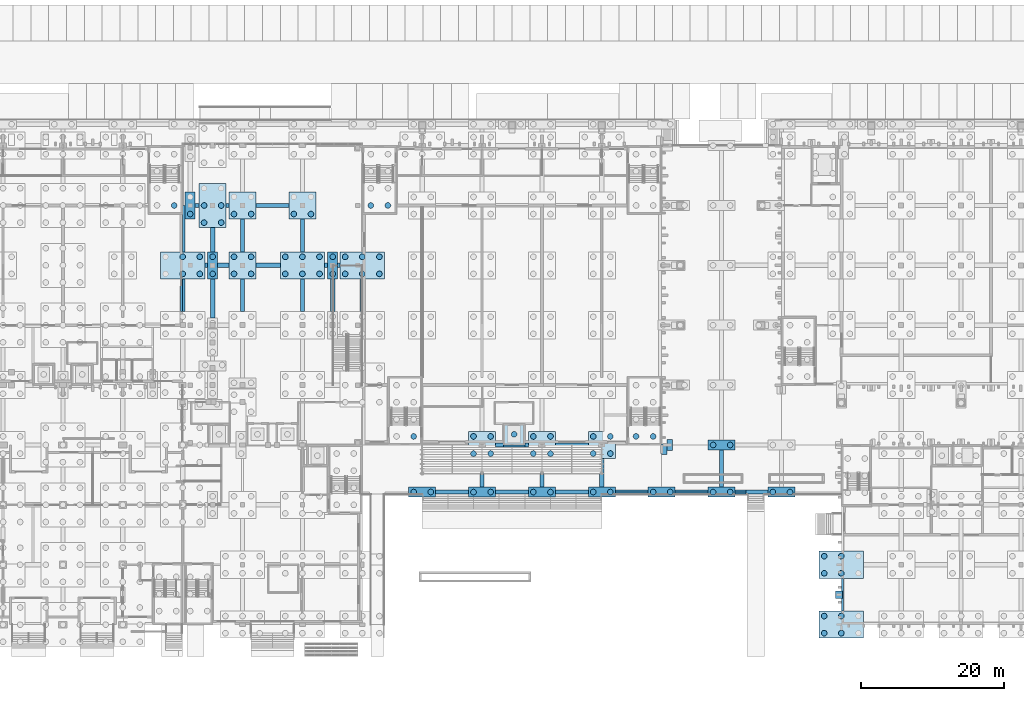
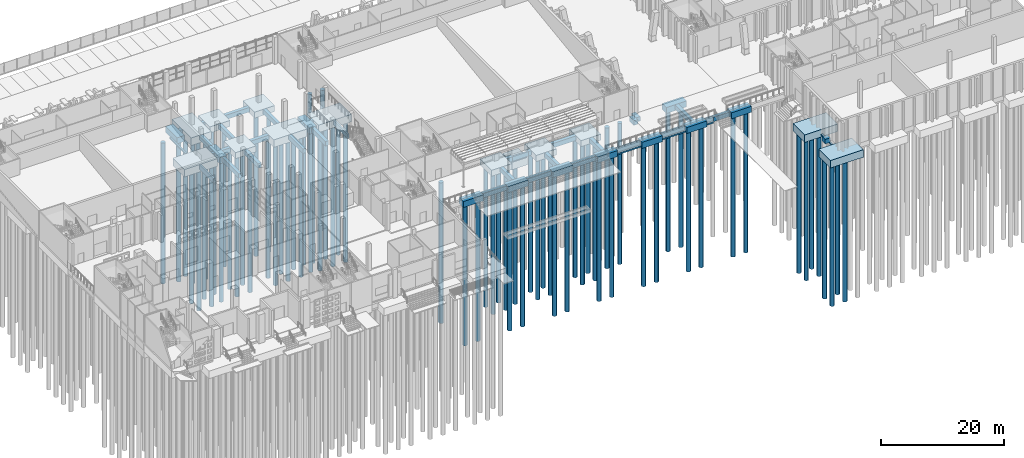
# One storey, part 4 of 129: 76 piles, 65 footings.
"""IFC4 building model written with IfcOpenShell, lengths in metres."""

from ifc_helpers import new_model, si_unit, direction, frame, origin, origin_2d, place, context, subcontext, project, spatial, rectangle, circle, extrude, material, material_profile, profile_set, type_object, element, save


model = new_model("IFC4")

# Units and contexts
model_context = context("Model", 3, precision=1e-05, world=origin(), true_north=direction((0.0, 1.0)))
body_context = subcontext(model_context, "Body", "Model", "MODEL_VIEW")
ifc_project = project(units=[si_unit("LENGTHUNIT", "METRE"), si_unit("AREAUNIT", "SQUARE_METRE"), si_unit("VOLUMEUNIT", "CUBIC_METRE"), si_unit("PLANEANGLEUNIT", "RADIAN"), si_unit("MASSUNIT", "GRAM", prefix="KILO")], contexts=[model_context])

# Site, building, storey
site_placement = place(None, origin())
site = spatial("IfcSite", under=ifc_project, at=site_placement, CompositionType="ELEMENT")
building_placement = place(site_placement, origin())
building = spatial("IfcBuilding", under=site, at=building_placement, Name="Kiln Court Media Centre", CompositionType="ELEMENT")
storey_placement = place(building_placement, origin())
storey = spatial("IfcBuildingStorey", under=building, at=storey_placement, Name="L00", CompositionType="ELEMENT", Elevation=0.0)

# Piles
ifc_material_1 = material(Name="Concrete C30/37", Category="concrete")
ifc_material_profile_1 = material_profile(ifc_material_1, circle(Radius=0.39990234375, at=origin_2d()), Name="PILE D800")
ifc_profile_set_1 = profile_set([ifc_material_profile_1], Name="Concrete C30/37")
pile_type_1 = type_object("IfcPileType", Name="Concrete C30/37 bored pile D800 cut-off -1.400 toe -29.400", PredefinedType="BORED", material=ifc_profile_set_1)
for number, where, z_axis, x_axis, name in (
    (1, (66.0, 18.60009765625, -1.39990234375), (0.0, 0.0, -1.0), (1.0, 0.0, 0.0), "L00-PI-1251"),
    (2, (68.39990234375, 18.60009765625, -1.39990234375), (0.0, 0.0, -1.0), (1.0, 0.0, 0.0), "L00-PI-1252"),
    (3, (74.39990234375, 18.60009765625, -1.39990234375), (0.0, 0.0, -1.0), (1.0, 0.0, 0.0), "L00-PI-1253"),
    (4, (76.800048828125, 18.60009765625, -1.39990234375), (0.0, 0.0, -1.0), (1.0, 0.0, 0.0), "L00-PI-1254"),
    (5, (82.800048828125, 18.60009765625, -1.39990234375), (0.0, 0.0, -1.0), (1.0, 0.0, 0.0), "L00-PI-1255"),
    (6, (85.199951171875, 18.60009765625, -1.39990234375), (0.0, 0.0, -1.0), (1.0, 0.0, 0.0), "L00-PI-1256"),
    (7, (91.199951171875, 18.60009765625, -1.39990234375), (0.0, 0.0, -1.0), (1.0, 0.0, 0.0), "L00-PI-1257"),
    (8, (93.60009765625, 18.60009765625, -1.39990234375), (0.0, 0.0, -1.0), (1.0, 0.0, 0.0), "L00-PI-1258"),
    (9, (99.60009765625, 18.60009765625, -1.39990234375), (0.0, 0.0, -1.0), (1.0, 0.0, 0.0), "L00-PI-1259"),
    (10, (102.0, 18.60009765625, -1.39990234375), (0.0, 0.0, -1.0), (1.0, 0.0, 0.0), "L00-PI-1260"),
    (11, (108.0, 18.60009765625, -1.39990234375), (0.0, 0.0, -1.0), (1.0, 0.0, 0.0), "L00-PI-1261"),
    (12, (110.39990234375, 18.60009765625, -1.39990234375), (0.0, 0.0, -1.0), (1.0, 0.0, 0.0), "L00-PI-1262"),
    (13, (116.39990234375, 18.60009765625, -1.39990234375), (0.0, 0.0, -1.0), (1.0, 0.0, 0.0), "L00-PI-1263"),
    (14, (118.800048828125, 18.60009765625, -1.39990234375), (0.0, 0.0, -1.0), (1.0, 0.0, 0.0), "L00-PI-1264"),
    (15, (74.39990234375, 24.0, -1.39990234375), (0.0, 0.0, -1.0), (1.0, 0.0, 0.0), "L00-PI-1328"),
    (16, (76.800048828125, 24.0, -1.39990234375), (0.0, 0.0, -1.0), (1.0, 0.0, 0.0), "L00-PI-1329"),
    (17, (74.39990234375, 26.39990234375, -1.39990234375), (0.0, 0.0, -1.0), (1.0, 0.0, 0.0), "L00-PI-1330"),
    (18, (76.800048828125, 26.39990234375, -1.39990234375), (0.0, 0.0, -1.0), (1.0, 0.0, 0.0), "L00-PI-1331"),
    (19, (82.800048828125, 24.0, -1.39990234375), (0.0, 0.0, -1.0), (1.0, 0.0, 0.0), "L00-PI-1332"),
    (20, (85.199951171875, 24.0, -1.39990234375), (0.0, 0.0, -1.0), (1.0, 0.0, 0.0), "L00-PI-1333"),
    (21, (82.800048828125, 26.39990234375, -1.39990234375), (0.0, 0.0, -1.0), (1.0, 0.0, 0.0), "L00-PI-1334"),
    (22, (85.199951171875, 26.39990234375, -1.39990234375), (0.0, 0.0, -1.0), (1.0, 0.0, 0.0), "L00-PI-1335"),
    (23, (91.199951171875, 24.0, -1.39990234375), (0.0, 0.0, -1.0), (1.0, 0.0, 0.0), "L00-PI-1336"),
    (24, (93.60009765625, 24.0, -1.39990234375), (0.0, 0.0, -1.0), (1.0, 0.0, 0.0), "L00-PI-1337"),
    (25, (91.199951171875, 26.39990234375, -1.39990234375), (0.0, 0.0, -1.0), (1.0, 0.0, 0.0), "L00-PI-1338"),
    (26, (93.60009765625, 26.39990234375, -1.39990234375), (0.0, 0.0, -1.0), (1.0, 0.0, 0.0), "L00-PI-1339"),
    (27, (108.0, 25.199951171875, -1.39990234375), (0.0, 0.0, -1.0), (1.0, 0.0, 0.0), "L00-PI-1340"),
    (28, (110.39990234375, 25.199951171875, -1.39990234375), (0.0, 0.0, -1.0), (1.0, 0.0, 0.0), "L00-PI-1341"),
    (29, (37.801025390625, 49.199951171875, -1.39990234375), (0.0, 0.0, -1.0), (1.0, 0.0, 0.0), "L00-PI-1616"),
    (30, (37.801025390625, 51.60009765625, -1.39990234375), (0.0, 0.0, -1.0), (1.0, 0.0, 0.0), "L00-PI-1617"),
    (31, (40.800048828125, 49.199951171875, -1.39990234375), (0.0, 0.0, -1.0), (1.0, 0.0, 0.0), "L00-PI-1618"),
    (32, (43.199951171875, 49.199951171875, -1.39990234375), (0.0, 0.0, -1.0), (1.0, 0.0, 0.0), "L00-PI-1619"),
    (33, (40.800048828125, 51.60009765625, -1.39990234375), (0.0, 0.0, -1.0), (1.0, 0.0, 0.0), "L00-PI-1620"),
    (34, (43.199951171875, 51.60009765625, -1.39990234375), (0.0, 0.0, -1.0), (1.0, 0.0, 0.0), "L00-PI-1621"),
    (35, (54.65087890625, 49.199951171875, -1.39990234375), (0.0, 0.0, -1.0), (1.0, 0.0, 0.0), "L00-PI-1628"),
    (36, (54.65087890625, 51.60009765625, -1.39990234375), (0.0, 0.0, -1.0), (1.0, 0.0, 0.0), "L00-PI-1629"),
    (37, (34.64990234375, 57.60009765625, -1.39990234375), (0.0, 0.0, -1.0), (1.0, 0.0, 0.0), "L00-PI-1711"),
    (38, (40.800048828125, 57.60009765625, -1.39990234375), (0.0, 0.0, -1.0), (1.0, 0.0, 0.0), "L00-PI-1719"),
    (39, (43.199951171875, 57.60009765625, -1.39990234375), (0.0, 0.0, -1.0), (1.0, 0.0, 0.0), "L00-PI-1720"),
    (40, (49.199951171875, 57.60009765625, -1.39990234375), (0.0, 0.0, -1.0), (1.0, 0.0, 0.0), "L00-PI-1723"),
    (41, (51.60009765625, 57.60009765625, -1.39990234375), (0.0, 0.0, -1.0), (1.0, 0.0, 0.0), "L00-PI-1724"),
):
    element("IfcPile", number, at=place(storey_placement, frame(where, z_axis=z_axis, x_axis=x_axis)), inside=storey, type_object=pile_type_1, Name=name, PredefinedType="BORED", context=body_context, shape_type="SweptSolid", body=[
        extrude(circle(Radius=0.39990234375, at=origin_2d()), origin(), (0.0, 0.0, 1.0), 28.0),
    ])
ifc_material_2 = material(Name="Concrete C30/37", Category="concrete")
ifc_material_profile_2 = material_profile(ifc_material_2, circle(Radius=0.39990234375, at=origin_2d()), Name="PILE D800")
ifc_profile_set_2 = profile_set([ifc_material_profile_2], Name="Concrete C30/37")
pile_type_2 = type_object("IfcPileType", Name="Concrete C30/37 bored pile D800 cut-off -1.700 toe -29.700", PredefinedType="BORED", material=ifc_profile_set_2)
for number, where, z_axis, x_axis, name in (
    (42, (123.60009765625, -1.199951171875, -1.699951171875), (0.0, 0.0, -1.0), (1.0, 0.0, 0.0), "L00-PI-1045"),
    (43, (126.0, -1.199951171875, -1.699951171875), (0.0, 0.0, -1.0), (1.0, 0.0, 0.0), "L00-PI-1046"),
    (44, (123.60009765625, 1.199951171875, -1.699951171875), (0.0, 0.0, -1.0), (1.0, 0.0, 0.0), "L00-PI-1048"),
    (45, (126.0, 1.199951171875, -1.699951171875), (0.0, 0.0, -1.0), (1.0, 0.0, 0.0), "L00-PI-1049"),
    (46, (123.60009765625, 7.199951171875, -1.699951171875), (0.0, 0.0, -1.0), (1.0, 0.0, 0.0), "L00-PI-1146"),
    (47, (126.0, 7.199951171875, -1.699951171875), (0.0, 0.0, -1.0), (1.0, 0.0, 0.0), "L00-PI-1147"),
    (48, (123.60009765625, 9.60009765625, -1.699951171875), (0.0, 0.0, -1.0), (1.0, 0.0, 0.0), "L00-PI-1149"),
    (49, (126.0, 9.60009765625, -1.699951171875), (0.0, 0.0, -1.0), (1.0, 0.0, 0.0), "L00-PI-1150"),
    (50, (66.0, 26.39990234375, -1.699951171875), (0.0, 0.0, -1.0), (1.0, 0.0, 0.0), "L00-PI-1367"),
    (51, (97.199951171875, 26.39990234375, -1.699951171875), (0.0, 0.0, -1.0), (1.0, 0.0, 0.0), "L00-PI-1374"),
    (52, (99.60009765625, 26.39990234375, -1.699951171875), (0.0, 0.0, -1.0), (1.0, 0.0, 0.0), "L00-PI-1375"),
    (53, (33.60009765625, 49.199951171875, -1.699951171875), (0.0, 0.0, -1.0), (1.0, 0.0, 0.0), "L00-PI-1611"),
    (54, (36.0, 49.199951171875, -1.699951171875), (0.0, 0.0, -1.0), (1.0, 0.0, 0.0), "L00-PI-1612"),
    (55, (33.60009765625, 51.60009765625, -1.699951171875), (0.0, 0.0, -1.0), (1.0, 0.0, 0.0), "L00-PI-1614"),
    (56, (36.0, 51.60009765625, -1.699951171875), (0.0, 0.0, -1.0), (1.0, 0.0, 0.0), "L00-PI-1615"),
    (57, (48.0, 49.199951171875, -1.699951171875), (0.0, 0.0, -1.0), (1.0, 0.0, 0.0), "L00-PI-1622"),
    (58, (50.39990234375, 49.199951171875, -1.699951171875), (0.0, 0.0, -1.0), (1.0, 0.0, 0.0), "L00-PI-1623"),
    (59, (52.800048828125, 49.199951171875, -1.699951171875), (0.0, 0.0, -1.0), (1.0, 0.0, 0.0), "L00-PI-1624"),
    (60, (48.0, 51.60009765625, -1.699951171875), (0.0, 0.0, -1.0), (1.0, 0.0, 0.0), "L00-PI-1625"),
    (61, (50.39990234375, 51.60009765625, -1.699951171875), (0.0, 0.0, -1.0), (1.0, 0.0, 0.0), "L00-PI-1626"),
    (62, (52.800048828125, 51.60009765625, -1.699951171875), (0.0, 0.0, -1.0), (1.0, 0.0, 0.0), "L00-PI-1627"),
    (63, (56.39990234375, 49.199951171875, -1.699951171875), (0.0, 0.0, -1.0), (1.0, 0.0, 0.0), "L00-PI-1630"),
    (64, (58.800048828125, 49.199951171875, -1.699951171875), (0.0, 0.0, -1.0), (1.0, 0.0, 0.0), "L00-PI-1631"),
    (65, (61.199951171875, 49.199951171875, -1.699951171875), (0.0, 0.0, -1.0), (1.0, 0.0, 0.0), "L00-PI-1632"),
    (66, (56.39990234375, 51.60009765625, -1.699951171875), (0.0, 0.0, -1.0), (1.0, 0.0, 0.0), "L00-PI-1633"),
    (67, (58.800048828125, 51.60009765625, -1.699951171875), (0.0, 0.0, -1.0), (1.0, 0.0, 0.0), "L00-PI-1634"),
    (68, (61.199951171875, 51.60009765625, -1.699951171875), (0.0, 0.0, -1.0), (1.0, 0.0, 0.0), "L00-PI-1635"),
    (69, (36.60107421875, 56.39990234375, -1.699951171875), (0.0, 0.0, -1.0), (1.0, 0.0, 0.0), "L00-PI-1713"),
    (70, (39.0009765625, 56.39990234375, -1.699951171875), (0.0, 0.0, -1.0), (1.0, 0.0, 0.0), "L00-PI-1714"),
    (71, (36.60107421875, 58.800048828125, -1.699951171875), (0.0, 0.0, -1.0), (1.0, 0.0, 0.0), "L00-PI-1715"),
    (72, (39.0009765625, 58.800048828125, -1.699951171875), (0.0, 0.0, -1.0), (1.0, 0.0, 0.0), "L00-PI-1716"),
    (73, (32.39990234375, 58.800048828125, -1.699951171875), (0.0, 0.0, -1.0), (1.0, 0.0, 0.0), "L00-PI-1778"),
    (74, (60.0, 58.800048828125, -1.699951171875), (0.0, 0.0, -1.0), (1.0, 0.0, 0.0), "L00-PI-1785"),
    (75, (62.39990234375, 58.800048828125, -1.699951171875), (0.0, 0.0, -1.0), (1.0, 0.0, 0.0), "L00-PI-1786"),
):
    element("IfcPile", number, at=place(storey_placement, frame(where, z_axis=z_axis, x_axis=x_axis)), inside=storey, type_object=pile_type_2, Name=name, PredefinedType="BORED", context=body_context, shape_type="SweptSolid", body=[
        extrude(circle(Radius=0.39990234375, at=origin_2d()), origin(), (0.0, 0.0, 1.0), 28.0),
    ])
ifc_material_3 = material(Name="Concrete C30/37", Category="concrete")
ifc_material_profile_3 = material_profile(ifc_material_3, circle(Radius=0.39990234375, at=origin_2d()), Name="PILE D800")
ifc_profile_set_3 = profile_set([ifc_material_profile_3], Name="Concrete C30/37")
pile_type_3 = type_object("IfcPileType", Name="Concrete C30/37 bored pile D800 cut-off -3.000 toe -31.000", PredefinedType="BORED", material=ifc_profile_set_3)
pile_placement = place(storey_placement, frame((80.10009765625, 26.699951171875, -3.0), z_axis=(0.0, 0.0, -1.0), x_axis=(1.0, 0.0, 0.0)))
element("IfcPile", 76, at=pile_placement, inside=storey, type_object=pile_type_3, Name="L00-PI-1365", PredefinedType="BORED", context=body_context, shape_type="SweptSolid", body=[
    extrude(circle(Radius=0.39990234375, at=origin_2d()), origin(), (0.0, 0.0, 1.0), 28.0),
])

# Footings
ifc_material_4 = material(Name="Concrete C30/37", Category="concrete")
footing_type_1 = type_object("IfcFootingType", Name="Concrete C30/37 column pad 1000x900", PredefinedType="PAD_FOOTING", material=ifc_material_4)
footing_1_placement = place(storey_placement, frame((125.64990234375, 4.199951171875, -1.199951171875), z_axis=(0.0, 0.0, 1.0), x_axis=(1.0, 0.0, 0.0)))
element("IfcFooting", 77, at=footing_1_placement, inside=storey, type_object=footing_type_1, Name="L00-FT-1549", PredefinedType="PAD_FOOTING", context=body_context, shape_type="SweptSolid", body=[
    extrude(rectangle(XDim=1.0, YDim=1.0, at=origin_2d()), origin(), (0.0, 0.0, 1.0), 0.89990234375),
])
ifc_material_5 = material(Name="Concrete C30/37", Category="concrete")
footing_type_2 = type_object("IfcFootingType", Name="Concrete C30/37 column pad 1500x900", PredefinedType="PAD_FOOTING", material=ifc_material_5)
footing_2_placement = place(storey_placement, frame((101.175048828125, 24.60009765625, -1.199951171875), z_axis=(0.0, 0.0, 1.0), x_axis=(1.0, 0.0, 0.0)))
element("IfcFooting", 78, at=footing_2_placement, inside=storey, type_object=footing_type_2, Name="L00-FT-1522", PredefinedType="PAD_FOOTING", context=body_context, shape_type="SweptSolid", body=[
    extrude(rectangle(XDim=0.75, YDim=1.5, at=origin_2d()), origin(), (0.0, 0.0, 1.0), 0.89990234375),
])
footing_3_placement = place(storey_placement, frame((101.949951171875, 25.199951171875, -1.199951171875), z_axis=(0.0, 0.0, 1.0), x_axis=(1.0, 0.0, 0.0)))
element("IfcFooting", 79, at=footing_3_placement, inside=storey, type_object=footing_type_2, Name="L00-FT-1523", PredefinedType="PAD_FOOTING", context=body_context, shape_type="SweptSolid", body=[
    extrude(rectangle(XDim=0.800048828125, YDim=1.5, at=origin_2d()), origin(), (0.0, 0.0, 1.0), 0.89990234375),
])
ifc_material_6 = material(Name="Concrete C30/37", Category="concrete")
footing_type_3 = type_object("IfcFootingType", Name="Concrete C30/37 ground beam 600x900", PredefinedType="STRIP_FOOTING", material=ifc_material_6)
for number, where, z_axis, x_axis, name in (
    (80, (71.39990234375, 18.60009765625, -1.199951171875), (0.0, 0.0, 1.0), (1.0, 0.0, 0.0), "L00-FT-1273"),
    (81, (79.800048828125, 18.60009765625, -1.199951171875), (0.0, 0.0, 1.0), (1.0, 0.0, 0.0), "L00-FT-1274"),
    (82, (88.199951171875, 18.60009765625, -1.199951171875), (0.0, 0.0, 1.0), (1.0, 0.0, 0.0), "L00-FT-1275"),
):
    element("IfcFooting", number, at=place(storey_placement, frame(where, z_axis=z_axis, x_axis=x_axis)), inside=storey, type_object=footing_type_3, Name=name, PredefinedType="STRIP_FOOTING", context=body_context, shape_type="SweptSolid", body=[
        extrude(rectangle(XDim=4.60009765625, YDim=0.60009765625, at=origin_2d()), origin(), (0.0, 0.0, 1.0), 0.89990234375),
    ])
for number, where, z_axis, x_axis, name in (
    (83, (96.60009765625, 18.75, -1.199951171875), (0.0, 0.0, 1.0), (1.0, 0.0, 0.0), "L00-FT-1276"),
    (84, (105.0, 18.75, -1.199951171875), (0.0, 0.0, 1.0), (1.0, 0.0, 0.0), "L00-FT-1277"),
):
    element("IfcFooting", number, at=place(storey_placement, frame(where, z_axis=z_axis, x_axis=x_axis)), inside=storey, type_object=footing_type_3, Name=name, PredefinedType="STRIP_FOOTING", context=body_context, shape_type="SweptSolid", body=[
        extrude(rectangle(XDim=4.60009765625, YDim=0.300048828125, at=origin_2d()), origin(), (0.0, 0.0, 1.0), 0.89990234375),
    ])
footing_4_placement = place(storey_placement, frame((114.14990234375, 18.60009765625, -1.199951171875), z_axis=(0.0, 0.0, 1.0), x_axis=(1.0, 0.0, 0.0)))
element("IfcFooting", 85, at=footing_4_placement, inside=storey, type_object=footing_type_3, Name="L00-FT-1278", PredefinedType="STRIP_FOOTING", context=body_context, shape_type="SweptSolid", body=[
    extrude(rectangle(XDim=3.10009765625, YDim=0.60009765625, at=origin_2d()), origin(), (0.0, 0.0, 1.0), 0.89990234375),
])
footing_5_placement = place(storey_placement, frame((111.85009765625, 18.75, -1.199951171875), z_axis=(0.0, 0.0, 1.0), x_axis=(1.0, 0.0, 0.0)))
element("IfcFooting", 86, at=footing_5_placement, inside=storey, type_object=footing_type_3, Name="L00-FT-1279", PredefinedType="STRIP_FOOTING", context=body_context, shape_type="SweptSolid", body=[
    extrude(rectangle(XDim=1.5, YDim=0.300048828125, at=origin_2d()), origin(), (0.0, 0.0, 1.0), 0.89990234375),
])
for number, where, z_axis, x_axis, name in (
    (87, (75.60009765625, 21.300048828125, -1.199951171875), (0.0, 0.0, 1.0), (1.0, 0.0, 0.0), "L00-FT-1280"),
    (88, (84.0, 21.300048828125, -1.199951171875), (0.0, 0.0, 1.0), (1.0, 0.0, 0.0), "L00-FT-1281"),
    (89, (92.39990234375, 21.300048828125, -1.199951171875), (0.0, 0.0, 1.0), (1.0, 0.0, 0.0), "L00-FT-1282"),
):
    element("IfcFooting", number, at=place(storey_placement, frame(where, z_axis=z_axis, x_axis=x_axis)), inside=storey, type_object=footing_type_3, Name=name, PredefinedType="STRIP_FOOTING", context=body_context, shape_type="SweptSolid", body=[
        extrude(rectangle(XDim=0.60009765625, YDim=4.0, at=origin_2d()), origin(), (0.0, 0.0, 1.0), 0.89990234375),
    ])
footing_6_placement = place(storey_placement, frame((109.199951171875, 21.89990234375, -1.199951171875), z_axis=(0.0, 0.0, 1.0), x_axis=(1.0, 0.0, 0.0)))
element("IfcFooting", 90, at=footing_6_placement, inside=storey, type_object=footing_type_3, Name="L00-FT-1283", PredefinedType="STRIP_FOOTING", context=body_context, shape_type="SweptSolid", body=[
    extrude(rectangle(XDim=0.60009765625, YDim=5.199951171875, at=origin_2d()), origin(), (0.0, 0.0, 1.0), 0.89990234375),
])
footing_7_placement = place(storey_placement, frame((78.050048828125, 25.199951171875, -1.199951171875), z_axis=(0.0, 0.0, 1.0), x_axis=(1.0, 0.0, 0.0)))
element("IfcFooting", 91, at=footing_7_placement, inside=storey, type_object=footing_type_3, Name="L00-FT-1291", PredefinedType="STRIP_FOOTING", context=body_context, shape_type="SweptSolid", body=[
    extrude(rectangle(XDim=1.10009765625, YDim=0.60009765625, at=origin_2d()), origin(), (0.0, 0.0, 1.0), 0.89990234375),
])
footing_8_placement = place(storey_placement, frame((81.85009765625, 25.199951171875, -1.199951171875), z_axis=(0.0, 0.0, 1.0), x_axis=(1.0, 0.0, 0.0)))
element("IfcFooting", 92, at=footing_8_placement, inside=storey, type_object=footing_type_3, Name="L00-FT-1292", PredefinedType="STRIP_FOOTING", context=body_context, shape_type="SweptSolid", body=[
    extrude(rectangle(XDim=0.5, YDim=0.60009765625, at=origin_2d()), origin(), (0.0, 0.0, 1.0), 0.89990234375),
])
footing_9_placement = place(storey_placement, frame((80.10009765625, 25.050048828125, -1.199951171875), z_axis=(0.0, 0.0, 1.0), x_axis=(1.0, 0.0, 0.0)))
element("IfcFooting", 93, at=footing_9_placement, inside=storey, type_object=footing_type_3, Name="L00-FT-1293", PredefinedType="STRIP_FOOTING", context=body_context, shape_type="SweptSolid", body=[
    extrude(rectangle(XDim=3.0, YDim=0.300048828125, at=origin_2d()), origin(), (0.0, 0.0, 1.0), 0.89990234375),
])
footing_10_placement = place(storey_placement, frame((88.199951171875, 25.199951171875, -1.199951171875), z_axis=(0.0, 0.0, 1.0), x_axis=(1.0, 0.0, 0.0)))
element("IfcFooting", 94, at=footing_10_placement, inside=storey, type_object=footing_type_3, Name="L00-FT-1294", PredefinedType="STRIP_FOOTING", context=body_context, shape_type="SweptSolid", body=[
    extrude(rectangle(XDim=4.60009765625, YDim=0.60009765625, at=origin_2d()), origin(), (0.0, 0.0, 1.0), 0.89990234375),
])
footing_11_placement = place(storey_placement, frame((33.449951171875, 46.199951171875, -1.199951171875), z_axis=(0.0, 0.0, 1.0), x_axis=(1.0, 0.0, 0.0)))
element("IfcFooting", 95, at=footing_11_placement, inside=storey, type_object=footing_type_3, Name="L00-FT-1341", PredefinedType="STRIP_FOOTING", context=body_context, shape_type="SweptSolid", body=[
    extrude(rectangle(XDim=0.300048828125, YDim=4.60009765625, at=origin_2d()), origin(), (0.0, 0.0, 1.0), 0.89990234375),
])
for number, where, z_axis, x_axis, name in (
    (96, (42.0, 46.199951171875, -1.199951171875), (0.0, 0.0, 1.0), (1.0, 0.0, 0.0), "L00-FT-1342"),
    (97, (50.39990234375, 46.199951171875, -1.199951171875), (0.0, 0.0, 1.0), (1.0, 0.0, 0.0), "L00-FT-1343"),
    (98, (54.65087890625, 46.199951171875, -1.199951171875), (0.0, 0.0, 1.0), (1.0, 0.0, 0.0), "L00-FT-1344"),
):
    element("IfcFooting", number, at=place(storey_placement, frame(where, z_axis=z_axis, x_axis=x_axis)), inside=storey, type_object=footing_type_3, Name=name, PredefinedType="STRIP_FOOTING", context=body_context, shape_type="SweptSolid", body=[
        extrude(rectangle(XDim=0.60009765625, YDim=4.60009765625, at=origin_2d()), origin(), (0.0, 0.0, 1.0), 0.89990234375),
    ])
footing_12_placement = place(storey_placement, frame((58.64990234375, 46.199951171875, -1.199951171875), z_axis=(0.0, 0.0, 1.0), x_axis=(1.0, 0.0, 0.0)))
element("IfcFooting", 99, at=footing_12_placement, inside=storey, type_object=footing_type_3, Name="L00-FT-1345", PredefinedType="STRIP_FOOTING", context=body_context, shape_type="SweptSolid", body=[
    extrude(rectangle(XDim=0.300048828125, YDim=4.60009765625, at=origin_2d()), origin(), (0.0, 0.0, 1.0), 0.89990234375),
])
footing_13_placement = place(storey_placement, frame((37.801025390625, 45.75, -1.199951171875), z_axis=(0.0, 0.0, 1.0), x_axis=(1.0, 0.0, 0.0)))
element("IfcFooting", 100, at=footing_13_placement, inside=storey, type_object=footing_type_3, Name="L00-FT-1352", PredefinedType="STRIP_FOOTING", context=body_context, shape_type="SweptSolid", body=[
    extrude(rectangle(XDim=0.60009765625, YDim=5.5, at=origin_2d()), origin(), (0.0, 0.0, 1.0), 0.89990234375),
])
footing_14_placement = place(storey_placement, frame((36.900390625, 50.39990234375, -1.199951171875), z_axis=(0.0, 0.0, 1.0), x_axis=(1.0, 0.0, 0.0)))
element("IfcFooting", 101, at=footing_14_placement, inside=storey, type_object=footing_type_3, Name="L00-FT-1353", PredefinedType="STRIP_FOOTING", context=body_context, shape_type="SweptSolid", body=[
    extrude(rectangle(XDim=0.40087890625, YDim=0.60009765625, at=origin_2d()), origin(), (0.0, 0.0, 1.0), 0.89990234375),
])
footing_15_placement = place(storey_placement, frame((39.300537109375, 50.39990234375, -1.199951171875), z_axis=(0.0, 0.0, 1.0), x_axis=(1.0, 0.0, 0.0)))
element("IfcFooting", 102, at=footing_15_placement, inside=storey, type_object=footing_type_3, Name="L00-FT-1354", PredefinedType="STRIP_FOOTING", context=body_context, shape_type="SweptSolid", body=[
    extrude(rectangle(XDim=1.59912109375, YDim=0.60009765625, at=origin_2d()), origin(), (0.0, 0.0, 1.0), 0.89990234375),
])
footing_16_placement = place(storey_placement, frame((45.60009765625, 50.39990234375, -1.199951171875), z_axis=(0.0, 0.0, 1.0), x_axis=(1.0, 0.0, 0.0)))
element("IfcFooting", 103, at=footing_16_placement, inside=storey, type_object=footing_type_3, Name="L00-FT-1355", PredefinedType="STRIP_FOOTING", context=body_context, shape_type="SweptSolid", body=[
    extrude(rectangle(XDim=3.39990234375, YDim=0.60009765625, at=origin_2d()), origin(), (0.0, 0.0, 1.0), 0.89990234375),
])
footing_17_placement = place(storey_placement, frame((53.7255859375, 50.39990234375, -1.199951171875), z_axis=(0.0, 0.0, 1.0), x_axis=(1.0, 0.0, 0.0)))
element("IfcFooting", 104, at=footing_17_placement, inside=storey, type_object=footing_type_3, Name="L00-FT-1356", PredefinedType="STRIP_FOOTING", context=body_context, shape_type="SweptSolid", body=[
    extrude(rectangle(XDim=0.450927734375, YDim=0.60009765625, at=origin_2d()), origin(), (0.0, 0.0, 1.0), 0.89990234375),
])
footing_18_placement = place(storey_placement, frame((55.525390625, 50.39990234375, -1.199951171875), z_axis=(0.0, 0.0, 1.0), x_axis=(1.0, 0.0, 0.0)))
element("IfcFooting", 105, at=footing_18_placement, inside=storey, type_object=footing_type_3, Name="L00-FT-1357", PredefinedType="STRIP_FOOTING", context=body_context, shape_type="SweptSolid", body=[
    extrude(rectangle(XDim=0.34912109375, YDim=0.60009765625, at=origin_2d()), origin(), (0.0, 0.0, 1.0), 0.89990234375),
])
footing_19_placement = place(storey_placement, frame((37.801025390625, 54.0, -1.199951171875), z_axis=(0.0, 0.0, 1.0), x_axis=(1.0, 0.0, 0.0)))
element("IfcFooting", 106, at=footing_19_placement, inside=storey, type_object=footing_type_3, Name="L00-FT-1365", PredefinedType="STRIP_FOOTING", context=body_context, shape_type="SweptSolid", body=[
    extrude(rectangle(XDim=0.60009765625, YDim=3.39990234375, at=origin_2d()), origin(), (0.0, 0.0, 1.0), 0.89990234375),
])
for number, where, z_axis, x_axis, name in (
    (107, (42.0, 54.60009765625, -1.199951171875), (0.0, 0.0, 1.0), (1.0, 0.0, 0.0), "L00-FT-1366"),
    (108, (50.39990234375, 54.60009765625, -1.199951171875), (0.0, 0.0, 1.0), (1.0, 0.0, 0.0), "L00-FT-1367"),
):
    element("IfcFooting", number, at=place(storey_placement, frame(where, z_axis=z_axis, x_axis=x_axis)), inside=storey, type_object=footing_type_3, Name=name, PredefinedType="STRIP_FOOTING", context=body_context, shape_type="SweptSolid", body=[
        extrude(rectangle(XDim=0.60009765625, YDim=4.60009765625, at=origin_2d()), origin(), (0.0, 0.0, 1.0), 0.89990234375),
    ])
footing_20_placement = place(storey_placement, frame((35.62548828125, 58.800048828125, -1.199951171875), z_axis=(0.0, 0.0, 1.0), x_axis=(1.0, 0.0, 0.0)))
element("IfcFooting", 109, at=footing_20_placement, inside=storey, type_object=footing_type_3, Name="L00-FT-1374", PredefinedType="STRIP_FOOTING", context=body_context, shape_type="SweptSolid", body=[
    extrude(rectangle(XDim=0.551025390625, YDim=0.60009765625, at=origin_2d()), origin(), (0.0, 0.0, 1.0), 0.89990234375),
])
footing_21_placement = place(storey_placement, frame((39.900390625, 58.800048828125, -1.199951171875), z_axis=(0.0, 0.0, 1.0), x_axis=(1.0, 0.0, 0.0)))
element("IfcFooting", 110, at=footing_21_placement, inside=storey, type_object=footing_type_3, Name="L00-FT-1375", PredefinedType="STRIP_FOOTING", context=body_context, shape_type="SweptSolid", body=[
    extrude(rectangle(XDim=0.39892578125, YDim=0.60009765625, at=origin_2d()), origin(), (0.0, 0.0, 1.0), 0.89990234375),
])
footing_22_placement = place(storey_placement, frame((46.199951171875, 58.800048828125, -1.199951171875), z_axis=(0.0, 0.0, 1.0), x_axis=(1.0, 0.0, 0.0)))
element("IfcFooting", 111, at=footing_22_placement, inside=storey, type_object=footing_type_3, Name="L00-FT-1376", PredefinedType="STRIP_FOOTING", context=body_context, shape_type="SweptSolid", body=[
    extrude(rectangle(XDim=4.60009765625, YDim=0.60009765625, at=origin_2d()), origin(), (0.0, 0.0, 1.0), 0.89990234375),
])
ifc_material_7 = material(Name="Concrete C30/37", Category="concrete")
footing_type_4 = type_object("IfcFootingType", Name="Concrete C30/37 pile cap 1400x3800x1200", PredefinedType="PILE_CAP", material=ifc_material_7)
for number, where, z_axis, x_axis, name in (
    (112, (37.801025390625, 50.39990234375, -1.5), (0.0, 0.0, 1.0), (1.0, 0.0, 0.0), "L00-FT-1145"),
    (113, (54.65087890625, 50.39990234375, -1.5), (0.0, 0.0, 1.0), (1.0, 0.0, 0.0), "L00-FT-1148"),
    (114, (34.64990234375, 58.800048828125, -1.5), (0.0, 0.0, 1.0), (1.0, 0.0, 0.0), "L00-FT-1166"),
):
    element("IfcFooting", number, at=place(storey_placement, frame(where, z_axis=z_axis, x_axis=x_axis)), inside=storey, type_object=footing_type_4, Name=name, PredefinedType="PILE_CAP", context=body_context, shape_type="SweptSolid", body=[
        extrude(rectangle(XDim=1.39990234375, YDim=3.800048828125, at=origin_2d()), origin(), (0.0, 0.0, 1.0), 1.199951171875),
    ])
ifc_material_8 = material(Name="Concrete C30/37", Category="concrete")
footing_type_5 = type_object("IfcFootingType", Name="Concrete C30/37 pile cap 3000x3000x1500", PredefinedType="PILE_CAP", material=ifc_material_8)
footing_23_placement = place(storey_placement, frame((80.10009765625, 26.699951171875, -3.10009765625), z_axis=(0.0, 0.0, 1.0), x_axis=(1.0, 0.0, 0.0)))
element("IfcFooting", 115, at=footing_23_placement, inside=storey, type_object=footing_type_5, Name="L00-FT-1087", PredefinedType="PILE_CAP", context=body_context, shape_type="SweptSolid", body=[
    extrude(rectangle(XDim=3.0, YDim=3.0, at=origin_2d()), origin(), (0.0, 0.0, 1.0), 1.5),
])
ifc_material_9 = material(Name="Concrete C30/37", Category="concrete")
footing_type_6 = type_object("IfcFootingType", Name="Concrete C30/37 pile cap 3800x1400x1200", PredefinedType="PILE_CAP", material=ifc_material_9)
for number, where, z_axis, x_axis, name in (
    (116, (67.199951171875, 18.60009765625, -1.5), (0.0, 0.0, 1.0), (1.0, 0.0, 0.0), "L00-FT-1056"),
    (117, (75.60009765625, 18.60009765625, -1.5), (0.0, 0.0, 1.0), (1.0, 0.0, 0.0), "L00-FT-1057"),
    (118, (84.0, 18.60009765625, -1.5), (0.0, 0.0, 1.0), (1.0, 0.0, 0.0), "L00-FT-1058"),
    (119, (92.39990234375, 18.60009765625, -1.5), (0.0, 0.0, 1.0), (1.0, 0.0, 0.0), "L00-FT-1059"),
    (120, (100.800048828125, 18.60009765625, -1.5), (0.0, 0.0, 1.0), (1.0, 0.0, 0.0), "L00-FT-1060"),
    (121, (109.199951171875, 18.60009765625, -1.5), (0.0, 0.0, 1.0), (1.0, 0.0, 0.0), "L00-FT-1061"),
    (122, (117.60009765625, 18.60009765625, -1.5), (0.0, 0.0, 1.0), (1.0, 0.0, 0.0), "L00-FT-1062"),
    (123, (109.199951171875, 25.199951171875, -1.5), (0.0, 0.0, 1.0), (1.0, 0.0, 0.0), "L00-FT-1079"),
):
    element("IfcFooting", number, at=place(storey_placement, frame(where, z_axis=z_axis, x_axis=x_axis)), inside=storey, type_object=footing_type_6, Name=name, PredefinedType="PILE_CAP", context=body_context, shape_type="SweptSolid", body=[
        extrude(rectangle(XDim=3.800048828125, YDim=1.39990234375, at=origin_2d()), origin(), (0.0, 0.0, 1.0), 1.199951171875),
    ])
ifc_material_10 = material(Name="Concrete C30/37", Category="concrete")
footing_type_7 = type_object("IfcFootingType", Name="Concrete C30/37 pile cap 3800x3800x1200", PredefinedType="PILE_CAP", material=ifc_material_10)
for number, where, z_axis, x_axis, name in (
    (124, (75.60009765625, 25.199951171875, -1.5), (0.0, 0.0, 1.0), (1.0, 0.0, 0.0), "L00-FT-1076"),
    (125, (84.0, 25.199951171875, -1.5), (0.0, 0.0, 1.0), (1.0, 0.0, 0.0), "L00-FT-1077"),
    (126, (92.39990234375, 25.199951171875, -1.5), (0.0, 0.0, 1.0), (1.0, 0.0, 0.0), "L00-FT-1078"),
    (127, (42.0, 50.39990234375, -1.5), (0.0, 0.0, 1.0), (1.0, 0.0, 0.0), "L00-FT-1146"),
    (128, (42.0, 58.800048828125, -1.5), (0.0, 0.0, 1.0), (1.0, 0.0, 0.0), "L00-FT-1168"),
    (129, (50.39990234375, 58.800048828125, -1.5), (0.0, 0.0, 1.0), (1.0, 0.0, 0.0), "L00-FT-1169"),
):
    element("IfcFooting", number, at=place(storey_placement, frame(where, z_axis=z_axis, x_axis=x_axis)), inside=storey, type_object=footing_type_7, Name=name, PredefinedType="PILE_CAP", context=body_context, shape_type="SweptSolid", body=[
        extrude(rectangle(XDim=3.800048828125, YDim=3.800048828125, at=origin_2d()), origin(), (0.0, 0.0, 1.0), 1.199951171875),
    ])
ifc_material_11 = material(Name="Concrete C30/37", Category="concrete")
footing_type_8 = type_object("IfcFootingType", Name="Concrete C30/37 pile cap 3800x6200x1500", PredefinedType="PILE_CAP", material=ifc_material_11)
footing_24_placement = place(storey_placement, frame((37.801025390625, 58.800048828125, -1.800048828125), z_axis=(0.0, 0.0, 1.0), x_axis=(1.0, 0.0, 0.0)))
element("IfcFooting", 130, at=footing_24_placement, inside=storey, type_object=footing_type_8, Name="L00-FT-1167", PredefinedType="PILE_CAP", context=body_context, shape_type="SweptSolid", body=[
    extrude(rectangle(XDim=3.800048828125, YDim=6.199951171875, at=origin_2d()), origin(), (0.0, 0.0, 1.0), 1.5),
])
ifc_material_12 = material(Name="Concrete C30/37", Category="concrete")
footing_type_9 = type_object("IfcFootingType", Name="Concrete C30/37 pile cap 6200x3800x1500", PredefinedType="PILE_CAP", material=ifc_material_12)
for number, where, z_axis, x_axis, name in (
    (131, (126.0, 0.0, -1.800048828125), (0.0, 0.0, 1.0), (1.0, 0.0, 0.0), "L00-FT-1020"),
    (132, (126.0, 8.39990234375, -1.800048828125), (0.0, 0.0, 1.0), (1.0, 0.0, 0.0), "L00-FT-1035"),
    (133, (33.60009765625, 50.39990234375, -1.800048828125), (0.0, 0.0, 1.0), (1.0, 0.0, 0.0), "L00-FT-1144"),
    (134, (50.39990234375, 50.39990234375, -1.800048828125), (0.0, 0.0, 1.0), (1.0, 0.0, 0.0), "L00-FT-1147"),
    (135, (58.800048828125, 50.39990234375, -1.800048828125), (0.0, 0.0, 1.0), (1.0, 0.0, 0.0), "L00-FT-1149"),
):
    element("IfcFooting", number, at=place(storey_placement, frame(where, z_axis=z_axis, x_axis=x_axis)), inside=storey, type_object=footing_type_9, Name=name, PredefinedType="PILE_CAP", context=body_context, shape_type="SweptSolid", body=[
        extrude(rectangle(XDim=6.199951171875, YDim=3.800048828125, at=origin_2d()), origin(), (0.0, 0.0, 1.0), 1.5),
    ])
ifc_material_13 = material(Name="Concrete C30/37", Category="concrete")
footing_type_10 = type_object("IfcFootingType", Name="Concrete C30/37 wall footing 300x300", PredefinedType="STRIP_FOOTING", material=ifc_material_13)
for number, where, z_axis, x_axis, name in (
    (136, (96.60009765625, 18.449951171875, -1.5), (0.0, 0.0, 1.0), (1.0, 0.0, 0.0), "L00-FT-1476"),
    (137, (105.0, 18.449951171875, -1.5), (0.0, 0.0, 1.0), (1.0, 0.0, 0.0), "L00-FT-1477"),
):
    element("IfcFooting", number, at=place(storey_placement, frame(where, z_axis=z_axis, x_axis=x_axis)), inside=storey, type_object=footing_type_10, Name=name, PredefinedType="STRIP_FOOTING", context=body_context, shape_type="SweptSolid", body=[
        extrude(rectangle(XDim=4.60009765625, YDim=0.300048828125, at=origin_2d()), origin(), (0.0, 0.0, 1.0), 0.300048828125),
    ])
footing_25_placement = place(storey_placement, frame((111.85009765625, 18.449951171875, -1.5), z_axis=(0.0, 0.0, 1.0), x_axis=(1.0, 0.0, 0.0)))
element("IfcFooting", 138, at=footing_25_placement, inside=storey, type_object=footing_type_10, Name="L00-FT-1478", PredefinedType="STRIP_FOOTING", context=body_context, shape_type="SweptSolid", body=[
    extrude(rectangle(XDim=1.5, YDim=0.300048828125, at=origin_2d()), origin(), (0.0, 0.0, 1.0), 0.300048828125),
])
for number, where, z_axis, x_axis, name in (
    (139, (126.14990234375, 4.199951171875, -1.5), (0.0, 0.0, 1.0), (1.0, 0.0, 0.0), "L00-FT-1480"),
    (140, (33.75, 46.199951171875, -1.5), (0.0, 0.0, 1.0), (1.0, 0.0, 0.0), "L00-FT-1514"),
):
    element("IfcFooting", number, at=place(storey_placement, frame(where, z_axis=z_axis, x_axis=x_axis)), inside=storey, type_object=footing_type_10, Name=name, PredefinedType="STRIP_FOOTING", context=body_context, shape_type="SweptSolid", body=[
        extrude(rectangle(XDim=0.300048828125, YDim=4.60009765625, at=origin_2d()), origin(), (0.0, 0.0, 1.0), 0.300048828125),
    ])
footing_26_placement = place(storey_placement, frame((33.75, 55.549560546875, -1.5), z_axis=(0.0, 0.0, 1.0), x_axis=(1.0, 0.0, 0.0)))
element("IfcFooting", 141, at=footing_26_placement, inside=storey, type_object=footing_type_10, Name="L00-FT-1515", PredefinedType="STRIP_FOOTING", context=body_context, shape_type="SweptSolid", body=[
    extrude(rectangle(XDim=0.300048828125, YDim=6.4990234375, at=origin_2d()), origin(), (0.0, 0.0, 1.0), 0.300048828125),
])

save(model, "model.ifc")
